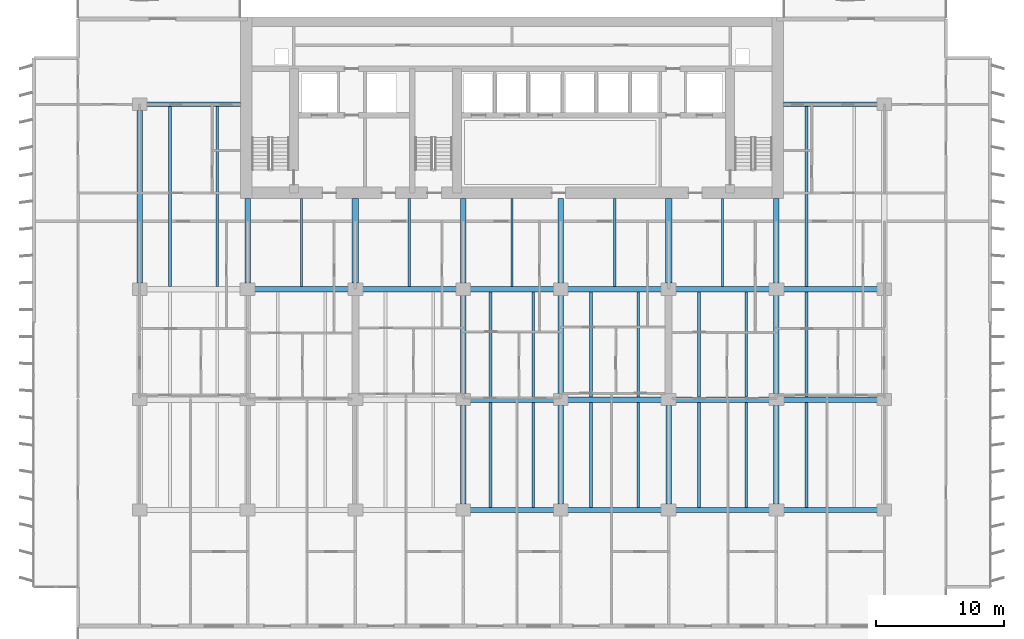
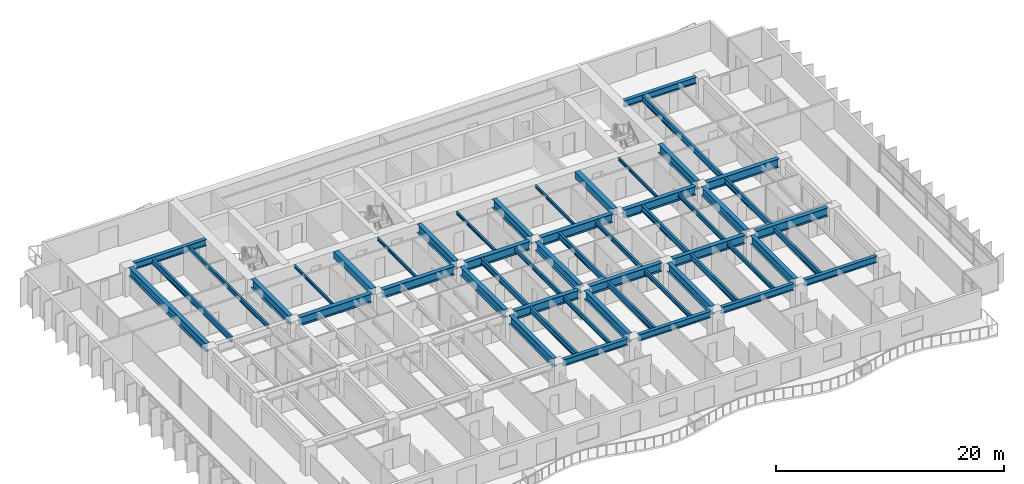
# One storey, part 3 of 18: 52 beams.
"""IFC4 building model written with IfcOpenShell, lengths in metres."""

import ifcopenshell
import ifcopenshell.guid

model = None  # the IFC model being written
_history = None  # IfcOwnerHistory: only IFC2X3 demands one
_inside = {}  # id of a spatial element -> (the spatial element, [elements in it])
_under = {}  # id of a project, library or spatial element -> (it, [spatial elements below it])
_declared = {}  # id of a project -> (the project, [libraries it declares])
_typed = {}  # id of a type object -> (the type object, [elements of that type])
_made_of = {}  # id of a material, layer set ... -> (it, [elements and type objects made of it])


def new_model(schema):
    """Start an empty IFC model of exactly this schema.

    Asked for "IFC4X3", IfcOpenShell would pick the latest addendum, in which some entities
    have other attributes; the version numbers below select the first issue.
    IFC2X3 requires an IfcOwnerHistory on every rooted entity: one is made here for all.
    """
    global model, _history
    if schema == "IFC4X3":
        model = ifcopenshell.file(schema_version=(4, 3, 0, 0))
    else:
        model = ifcopenshell.file(schema=schema)
    _inside.clear()
    _under.clear()
    _declared.clear()
    _typed.clear()
    _made_of.clear()
    _history = None
    if model.schema == "IFC2X3":
        org = make("IfcOrganization", Name="unknown")
        user = make(
            "IfcPersonAndOrganization",
            ThePerson=make("IfcPerson", FamilyName="unknown"),
            TheOrganization=org,
        )
        app = make(
            "IfcApplication",
            ApplicationDeveloper=org,
            Version="unknown",
            ApplicationFullName="unknown",
            ApplicationIdentifier="unknown",
        )
        _history = make(
            "IfcOwnerHistory",
            OwningUser=user,
            OwningApplication=app,
            ChangeAction="ADDED",
            CreationDate=0,
        )
    return model


def make(cls, **values):
    """One entity of the class cls with the attributes given. An attribute that is None is left unset."""
    return model.create_entity(
        cls, **{name: value for name, value in values.items() if value is not None}
    )


def rooted(cls, **values):
    """An entity with a GlobalId (a new one), such as an element, a storey or a relation."""
    return make(cls, GlobalId=ifcopenshell.guid.new(), OwnerHistory=_history, **values)


def si_unit(unit_type, name, prefix=None):
    """IfcSIUnit, for example si_unit("LENGTHUNIT", "METRE", prefix="MILLI")."""
    return make("IfcSIUnit", UnitType=unit_type, Prefix=prefix, Name=name)


def assignment(units):
    """IfcUnitAssignment: the units of a project."""
    return None if units is None else make("IfcUnitAssignment", Units=units)


def point(xyz):
    """IfcCartesianPoint."""
    return None if xyz is None else make("IfcCartesianPoint", Coordinates=xyz)


def direction(xyz):
    """IfcDirection."""
    return None if xyz is None else make("IfcDirection", DirectionRatios=xyz)


def frame(location, z_axis=None, x_axis=None):
    """IfcAxis2Placement3D, a coordinate frame: its origin and axes. An axis left out is left unset."""
    return make(
        "IfcAxis2Placement3D",
        Location=point(location),
        Axis=direction(z_axis),
        RefDirection=direction(x_axis),
    )


def frame_2d(location, x_axis=None):
    """IfcAxis2Placement2D, a coordinate frame in the plane: its origin and x axis."""
    return make(
        "IfcAxis2Placement2D", Location=point(location), RefDirection=direction(x_axis)
    )


def origin():
    """The frame at (0, 0, 0) with its axes left unset."""
    return frame((0.0, 0.0, 0.0))


def origin_2d():
    """The frame at (0, 0) in the plane with its x axis left unset."""
    return frame_2d((0.0, 0.0))


def place(relative_to, where):
    """IfcLocalPlacement: puts the frame where relative to a parent placement (None: the world)."""
    return make(
        "IfcLocalPlacement", PlacementRelTo=relative_to, RelativePlacement=where
    )


def context(
    kind, dimensions, precision=None, world=None, true_north=None, identifier=None
):
    """IfcGeometricRepresentationContext, for example the 3D "Model" context."""
    return make(
        "IfcGeometricRepresentationContext",
        ContextIdentifier=identifier,
        ContextType=kind,
        CoordinateSpaceDimension=dimensions,
        Precision=precision,
        WorldCoordinateSystem=world,
        TrueNorth=true_north,
    )


def subcontext(parent, identifier, kind, view, scale=None):
    """IfcGeometricRepresentationSubContext, for example "Body" below "Model"."""
    return make(
        "IfcGeometricRepresentationSubContext",
        ContextIdentifier=identifier,
        ContextType=kind,
        ParentContext=parent,
        TargetScale=scale,
        TargetView=view,
    )


def project(units=None, contexts=None):
    """IfcProject with its units and contexts."""
    return rooted(
        "IfcProject",
        Name="project",
        RepresentationContexts=contexts,
        UnitsInContext=assignment(units),
    )


def spatial(cls, under=None, at=None, **own):
    """A site, building, storey or space (cls), placed at a placement, below another one or the project."""
    s = rooted(cls, ObjectPlacement=at, **own)
    if under is not None:
        _under.setdefault(under.id(), (under, []))[1].append(s)
    return s


def profile(cls, at=None, kind="AREA", **sizes):
    """A parametric profile (cls). Its sizes go by their IFC names, for example OverallWidth=200.0."""
    return make(cls, ProfileType=kind, Position=at, **sizes)


def rectangle(**sizes):
    """IfcRectangleProfileDef."""
    return profile("IfcRectangleProfileDef", **sizes)


def i_section(**sizes):
    """IfcIShapeProfileDef."""
    return profile("IfcIShapeProfileDef", **sizes)


def extrude(swept, where, along, depth):
    """IfcExtrudedAreaSolid: the profile swept, set in the frame where, extruded along a direction by depth."""
    return make(
        "IfcExtrudedAreaSolid",
        SweptArea=swept,
        Position=where,
        ExtrudedDirection=direction(along),
        Depth=depth,
    )


def shape(context_of_items, identifier, shape_type, items):
    """IfcShapeRepresentation: the items that make up one representation, for example the "Body"."""
    return make(
        "IfcShapeRepresentation",
        ContextOfItems=context_of_items,
        RepresentationIdentifier=identifier,
        RepresentationType=shape_type,
        Items=items,
    )


def material(Name=None, Category=None):
    """IfcMaterial."""
    return make("IfcMaterial", Name=Name, Category=Category)


def material_profile(
    of_material, cross_section, Name=None, Category=None, Priority=None
):
    """IfcMaterialProfile: a cross section and its material."""
    return make(
        "IfcMaterialProfile",
        Name=Name,
        Material=of_material,
        Profile=cross_section,
        Priority=Priority,
        Category=Category,
    )


def profile_set(profiles, Name=None, composite=None):
    """IfcMaterialProfileSet."""
    return make(
        "IfcMaterialProfileSet",
        Name=Name,
        MaterialProfiles=profiles,
        CompositeProfile=composite,
    )


def made_of(thing, what):
    """Note that an element or type object is made of a material, layer set ...; save() writes the relation."""
    if what is not None:
        _made_of.setdefault(what.id(), (what, []))[1].append(thing)
    return thing


def type_object(cls, material=None, **own):
    """A type object (cls), such as IfcWallType, which elements share."""
    return made_of(rooted(cls, **own), material)


def element(
    cls,
    number,
    at=None,
    inside=None,
    cuts=None,
    type_object=None,
    material=None,
    context=None,
    identifier="Body",
    shape_type=None,
    held_by="IfcProductDefinitionShape",
    body=None,
    shapes=None,
    **own,
):
    """One element of the class cls, such as IfcWall. Its Tag is "e" and its number.

    at: its placement. inside: the storey or other place that contains it. cuts: it is an
    opening in that element (IfcRelVoidsElement). A single representation is given by context,
    identifier, shape_type and body (its items); several are given by shapes. held_by: the class
    of the entity that holds the representations. save() writes the other relations.
    """
    e = rooted(cls, Tag="e%d" % number, ObjectPlacement=at, **own)
    if body is not None:
        shapes = [shape(context, identifier, shape_type, body)]
    if shapes is not None:
        e.Representation = make(held_by, Representations=shapes)
    if inside is not None:
        _inside.setdefault(inside.id(), (inside, []))[1].append(e)
    if cuts is not None:
        rooted(
            "IfcRelVoidsElement", RelatingBuildingElement=cuts, RelatedOpeningElement=e
        )
    if type_object is not None:
        _typed.setdefault(type_object.id(), (type_object, []))[1].append(e)
    return made_of(e, material)


def aggregate(whole, parts):
    """IfcRelAggregates: a whole, such as a stair, and the parts it consists of."""
    return rooted("IfcRelAggregates", RelatingObject=whole, RelatedObjects=parts)


def save(model, path):
    """Write the relations noted so far, then the file.

    IfcRelAggregates (storeys below a building ...), IfcRelContainedInSpatialStructure (elements
    in a storey), IfcRelDefinesByType, IfcRelAssociatesMaterial and IfcRelDeclares: one each for
    every whole, place, type object, material and project.
    """
    for whole, parts in _under.values():
        aggregate(whole, parts)
    for where, things in _inside.values():
        rooted(
            "IfcRelContainedInSpatialStructure",
            RelatedElements=things,
            RelatingStructure=where,
        )
    for kind, things in _typed.values():
        rooted("IfcRelDefinesByType", RelatedObjects=things, RelatingType=kind)
    for what, things in _made_of.values():
        rooted("IfcRelAssociatesMaterial", RelatedObjects=things, RelatingMaterial=what)
    for by, libraries in _declared.values():
        rooted("IfcRelDeclares", RelatingContext=by, RelatedDefinitions=libraries)
    model.write(path)


model = new_model("IFC4")

# Units and contexts
model_context = context("Model", 3, precision=1e-05, world=origin(), true_north=direction((0.0, 1.0)))
body_context = subcontext(model_context, "Body", "Model", "MODEL_VIEW")
ifc_project = project(units=[si_unit("LENGTHUNIT", "METRE"), si_unit("AREAUNIT", "SQUARE_METRE"), si_unit("VOLUMEUNIT", "CUBIC_METRE"), si_unit("PLANEANGLEUNIT", "RADIAN"), si_unit("MASSUNIT", "GRAM", prefix="KILO")], contexts=[model_context])

# Site, building, storey
site_placement = place(None, origin())
site = spatial("IfcSite", under=ifc_project, at=site_placement, CompositionType="ELEMENT")
building_placement = place(site_placement, origin())
building = spatial("IfcBuilding", under=site, at=building_placement, Name="Caelmar Bay Residences", CompositionType="ELEMENT")
storey_placement = place(building_placement, frame((0.0, 0.0, 69.60009765625)))
storey = spatial("IfcBuildingStorey", under=building, at=storey_placement, Name="L18", CompositionType="ELEMENT", Elevation=69.60009765625)

# Beams
ifc_material_1 = material(Name="Steel ASTM A992 Grade 50", Category="steel")
ifc_material_profile_1 = material_profile(ifc_material_1, i_section(OverallWidth=0.422119140625, OverallDepth=0.925048828125, WebThickness=0.021240234375, FlangeThickness=0.03662109375, FilletRadius=0.020263671875, at=origin_2d()), Name="W36X262")
ifc_profile_set_1 = profile_set([ifc_material_profile_1], Name="Steel ASTM A992 Grade 50")
beam_type_1 = type_object("IfcBeamType", Name="BM-GRD-W36X262", PredefinedType="BEAM", material=ifc_profile_set_1)
beam_1_placement = place(storey_placement, frame((35.639892578125, 20.800048828125, 2.58740234375), z_axis=(1.0, 0.0, 0.0), x_axis=(0.0, 1.0, 0.0)))
element("IfcBeam", 1, at=beam_1_placement, inside=storey, type_object=beam_type_1, Name="L18 East-West Girder Y=20.80 (35.1-42.7)", PredefinedType="BEAM", context=body_context, shape_type="SweptSolid", body=[
    extrude(i_section(OverallWidth=0.422119140625, OverallDepth=0.925048828125, WebThickness=0.021240234375, FlangeThickness=0.03662109375, FilletRadius=0.020263671875, at=origin_2d()), origin(), (0.0, 0.0, 1.0), 6.52001953125),
])
for number, where, z_axis, x_axis, name in (
    (2, (43.239990234375, 20.800048828125, 2.58740234375), (1.0, 0.0, 0.0), (0.0, 1.0, 0.0), "L18 East-West Girder Y=20.80 (42.7-51.1)"),
    (3, (51.639892578125, 20.800048828125, 2.58740234375), (1.0, 0.0, 0.0), (0.0, 1.0, 0.0), "L18 East-West Girder Y=20.80 (51.1-59.5)"),
    (4, (60.0400390625, 20.800048828125, 2.58740234375), (1.0, 0.0, 0.0), (0.0, 1.0, 0.0), "L18 East-West Girder Y=20.80 (59.5-67.9)"),
):
    element("IfcBeam", number, at=place(storey_placement, frame(where, z_axis=z_axis, x_axis=x_axis)), inside=storey, type_object=beam_type_1, Name=name, PredefinedType="BEAM", context=body_context, shape_type="SweptSolid", body=[
        extrude(i_section(OverallWidth=0.422119140625, OverallDepth=0.925048828125, WebThickness=0.021240234375, FlangeThickness=0.03662109375, FilletRadius=0.020263671875, at=origin_2d()), origin(), (0.0, 0.0, 1.0), 7.320068359375),
    ])
beam_2_placement = place(storey_placement, frame((18.840087890625, 29.39990234375, 2.58740234375), z_axis=(1.0, 0.0, 0.0), x_axis=(0.0, 1.0, 0.0)))
element("IfcBeam", 5, at=beam_2_placement, inside=storey, type_object=beam_type_1, Name="L18 East-West Girder Y=29.40 (18.3-26.7)", PredefinedType="BEAM", context=body_context, shape_type="SweptSolid", body=[
    extrude(i_section(OverallWidth=0.422119140625, OverallDepth=0.925048828125, WebThickness=0.021240234375, FlangeThickness=0.03662109375, FilletRadius=0.020263671875, at=origin_2d()), origin(), (0.0, 0.0, 1.0), 7.31982421875),
])
beam_3_placement = place(storey_placement, frame((27.239990234375, 29.39990234375, 2.58740234375), z_axis=(1.0, 0.0, 0.0), x_axis=(0.0, 1.0, 0.0)))
element("IfcBeam", 6, at=beam_3_placement, inside=storey, type_object=beam_type_1, Name="L18 East-West Girder Y=29.40 (26.7-35.1)", PredefinedType="BEAM", context=body_context, shape_type="SweptSolid", body=[
    extrude(i_section(OverallWidth=0.422119140625, OverallDepth=0.925048828125, WebThickness=0.021240234375, FlangeThickness=0.03662109375, FilletRadius=0.020263671875, at=origin_2d()), origin(), (0.0, 0.0, 1.0), 7.320068359375),
])
beam_4_placement = place(storey_placement, frame((35.639892578125, 29.39990234375, 2.58740234375), z_axis=(1.0, 0.0, 0.0), x_axis=(0.0, 1.0, 0.0)))
element("IfcBeam", 7, at=beam_4_placement, inside=storey, type_object=beam_type_1, Name="L18 East-West Girder Y=29.40 (35.1-42.7)", PredefinedType="BEAM", context=body_context, shape_type="SweptSolid", body=[
    extrude(i_section(OverallWidth=0.422119140625, OverallDepth=0.925048828125, WebThickness=0.021240234375, FlangeThickness=0.03662109375, FilletRadius=0.020263671875, at=origin_2d()), origin(), (0.0, 0.0, 1.0), 6.52001953125),
])
for number, where, z_axis, x_axis, name in (
    (8, (43.239990234375, 29.39990234375, 2.58740234375), (1.0, 0.0, 0.0), (0.0, 1.0, 0.0), "L18 East-West Girder Y=29.40 (42.7-51.1)"),
    (9, (51.639892578125, 29.39990234375, 2.58740234375), (1.0, 0.0, 0.0), (0.0, 1.0, 0.0), "L18 East-West Girder Y=29.40 (51.1-59.5)"),
    (10, (60.0400390625, 29.39990234375, 2.58740234375), (1.0, 0.0, 0.0), (0.0, 1.0, 0.0), "L18 East-West Girder Y=29.40 (59.5-67.9)"),
):
    element("IfcBeam", number, at=place(storey_placement, frame(where, z_axis=z_axis, x_axis=x_axis)), inside=storey, type_object=beam_type_1, Name=name, PredefinedType="BEAM", context=body_context, shape_type="SweptSolid", body=[
        extrude(i_section(OverallWidth=0.422119140625, OverallDepth=0.925048828125, WebThickness=0.021240234375, FlangeThickness=0.03662109375, FilletRadius=0.020263671875, at=origin_2d()), origin(), (0.0, 0.0, 1.0), 7.320068359375),
    ])
beam_5_placement = place(storey_placement, frame((9.89990234375, 29.864990234375, 2.58740234375), z_axis=(0.0, 1.0, 0.0), x_axis=(-1.0, 0.0, 0.0)))
element("IfcBeam", 11, at=beam_5_placement, inside=storey, type_object=beam_type_1, Name="L18 North-South Girder X=9.90 (29.4-43.8)", PredefinedType="BEAM", context=body_context, shape_type="SweptSolid", body=[
    extrude(i_section(OverallWidth=0.422119140625, OverallDepth=0.925048828125, WebThickness=0.021240234375, FlangeThickness=0.03662109375, FilletRadius=0.020263671875, at=origin_2d()), origin(), (0.0, 0.0, 1.0), 13.469970703125),
])
for number, where, z_axis, x_axis, name in (
    (12, (18.300048828125, 29.864990234375, 2.58740234375), (0.0, 1.0, 0.0), (-1.0, 0.0, 0.0), "L18 Core Tie Girder X=18.30"),
    (13, (35.10009765625, 29.864990234375, 2.58740234375), (0.0, 1.0, 0.0), (-1.0, 0.0, 0.0), "L18 Core Tie Girder X=35.10"),
):
    element("IfcBeam", number, at=place(storey_placement, frame(where, z_axis=z_axis, x_axis=x_axis)), inside=storey, type_object=beam_type_1, Name=name, PredefinedType="BEAM", context=body_context, shape_type="SweptSolid", body=[
        extrude(i_section(OverallWidth=0.422119140625, OverallDepth=0.925048828125, WebThickness=0.021240234375, FlangeThickness=0.03662109375, FilletRadius=0.020263671875, at=origin_2d()), origin(), (0.0, 0.0, 1.0), 6.5849609375),
    ])
beam_6_placement = place(storey_placement, frame((35.10009765625, 12.6650390625, 2.58740234375), z_axis=(0.0, 1.0, 0.0), x_axis=(-1.0, 0.0, 0.0)))
element("IfcBeam", 14, at=beam_6_placement, inside=storey, type_object=beam_type_1, Name="L18 North-South Girder X=35.10 (12.2-20.8)", PredefinedType="BEAM", context=body_context, shape_type="SweptSolid", body=[
    extrude(i_section(OverallWidth=0.422119140625, OverallDepth=0.925048828125, WebThickness=0.021240234375, FlangeThickness=0.03662109375, FilletRadius=0.020263671875, at=origin_2d()), origin(), (0.0, 0.0, 1.0), 7.669921875),
])
beam_7_placement = place(storey_placement, frame((35.10009765625, 21.264892578125, 2.58740234375), z_axis=(0.0, 1.0, 0.0), x_axis=(-1.0, 0.0, 0.0)))
element("IfcBeam", 15, at=beam_7_placement, inside=storey, type_object=beam_type_1, Name="L18 North-South Girder X=35.10 (20.8-29.4)", PredefinedType="BEAM", context=body_context, shape_type="SweptSolid", body=[
    extrude(i_section(OverallWidth=0.422119140625, OverallDepth=0.925048828125, WebThickness=0.021240234375, FlangeThickness=0.03662109375, FilletRadius=0.020263671875, at=origin_2d()), origin(), (0.0, 0.0, 1.0), 7.670166015625),
])
beam_8_placement = place(storey_placement, frame((42.699951171875, 29.864990234375, 2.58740234375), z_axis=(0.0, 1.0, 0.0), x_axis=(-1.0, 0.0, 0.0)))
element("IfcBeam", 16, at=beam_8_placement, inside=storey, type_object=beam_type_1, Name="L18 Core Tie Girder X=42.70", PredefinedType="BEAM", context=body_context, shape_type="SweptSolid", body=[
    extrude(i_section(OverallWidth=0.422119140625, OverallDepth=0.925048828125, WebThickness=0.021240234375, FlangeThickness=0.03662109375, FilletRadius=0.020263671875, at=origin_2d()), origin(), (0.0, 0.0, 1.0), 6.5849609375),
])
beam_9_placement = place(storey_placement, frame((42.699951171875, 12.6650390625, 2.58740234375), z_axis=(0.0, 1.0, 0.0), x_axis=(-1.0, 0.0, 0.0)))
element("IfcBeam", 17, at=beam_9_placement, inside=storey, type_object=beam_type_1, Name="L18 North-South Girder X=42.70 (12.2-20.8)", PredefinedType="BEAM", context=body_context, shape_type="SweptSolid", body=[
    extrude(i_section(OverallWidth=0.422119140625, OverallDepth=0.925048828125, WebThickness=0.021240234375, FlangeThickness=0.03662109375, FilletRadius=0.020263671875, at=origin_2d()), origin(), (0.0, 0.0, 1.0), 7.669921875),
])
beam_10_placement = place(storey_placement, frame((42.699951171875, 21.264892578125, 2.58740234375), z_axis=(0.0, 1.0, 0.0), x_axis=(-1.0, 0.0, 0.0)))
element("IfcBeam", 18, at=beam_10_placement, inside=storey, type_object=beam_type_1, Name="L18 North-South Girder X=42.70 (20.8-29.4)", PredefinedType="BEAM", context=body_context, shape_type="SweptSolid", body=[
    extrude(i_section(OverallWidth=0.422119140625, OverallDepth=0.925048828125, WebThickness=0.021240234375, FlangeThickness=0.03662109375, FilletRadius=0.020263671875, at=origin_2d()), origin(), (0.0, 0.0, 1.0), 7.670166015625),
])
beam_11_placement = place(storey_placement, frame((51.10009765625, 12.6650390625, 2.58740234375), z_axis=(0.0, 1.0, 0.0), x_axis=(-1.0, 0.0, 0.0)))
element("IfcBeam", 19, at=beam_11_placement, inside=storey, type_object=beam_type_1, Name="L18 North-South Girder X=51.10 (12.2-20.8)", PredefinedType="BEAM", context=body_context, shape_type="SweptSolid", body=[
    extrude(i_section(OverallWidth=0.422119140625, OverallDepth=0.925048828125, WebThickness=0.021240234375, FlangeThickness=0.03662109375, FilletRadius=0.020263671875, at=origin_2d()), origin(), (0.0, 0.0, 1.0), 7.669921875),
])
beam_12_placement = place(storey_placement, frame((59.5, 29.864990234375, 2.58740234375), z_axis=(0.0, 1.0, 0.0), x_axis=(-1.0, 0.0, 0.0)))
element("IfcBeam", 20, at=beam_12_placement, inside=storey, type_object=beam_type_1, Name="L18 Core Tie Girder X=59.50", PredefinedType="BEAM", context=body_context, shape_type="SweptSolid", body=[
    extrude(i_section(OverallWidth=0.422119140625, OverallDepth=0.925048828125, WebThickness=0.021240234375, FlangeThickness=0.03662109375, FilletRadius=0.020263671875, at=origin_2d()), origin(), (0.0, 0.0, 1.0), 6.5849609375),
])
beam_13_placement = place(storey_placement, frame((59.5, 12.6650390625, 2.58740234375), z_axis=(0.0, 1.0, 0.0), x_axis=(-1.0, 0.0, 0.0)))
element("IfcBeam", 21, at=beam_13_placement, inside=storey, type_object=beam_type_1, Name="L18 North-South Girder X=59.50 (12.2-20.8)", PredefinedType="BEAM", context=body_context, shape_type="SweptSolid", body=[
    extrude(i_section(OverallWidth=0.422119140625, OverallDepth=0.925048828125, WebThickness=0.021240234375, FlangeThickness=0.03662109375, FilletRadius=0.020263671875, at=origin_2d()), origin(), (0.0, 0.0, 1.0), 7.669921875),
])
beam_14_placement = place(storey_placement, frame((59.5, 21.264892578125, 2.58740234375), z_axis=(0.0, 1.0, 0.0), x_axis=(-1.0, 0.0, 0.0)))
element("IfcBeam", 22, at=beam_14_placement, inside=storey, type_object=beam_type_1, Name="L18 North-South Girder X=59.50 (20.8-29.4)", PredefinedType="BEAM", context=body_context, shape_type="SweptSolid", body=[
    extrude(i_section(OverallWidth=0.422119140625, OverallDepth=0.925048828125, WebThickness=0.021240234375, FlangeThickness=0.03662109375, FilletRadius=0.020263671875, at=origin_2d()), origin(), (0.0, 0.0, 1.0), 7.670166015625),
])
ifc_material_profile_2 = material_profile(ifc_material_1, i_section(OverallWidth=0.1650390625, OverallDepth=0.31005859375, WebThickness=0.005859375, FlangeThickness=0.009765625, FilletRadius=0.007568359375, at=origin_2d()), Name="W12X26")
ifc_profile_set_2 = profile_set([ifc_material_profile_2], Name="Steel ASTM A992 Grade 50")
beam_type_2 = type_object("IfcBeamType", Name="BM-JST-W12X26", PredefinedType="JOIST", material=ifc_profile_set_2)
for number, where, z_axis, x_axis, name in (
    (23, (22.5, 29.611083984375, 2.89501953125), (0.0, 1.0, 0.0), (-1.0, 0.0, 0.0), "L18 Core-Band Composite Joist 29"),
    (24, (30.89990234375, 29.611083984375, 2.89501953125), (0.0, 1.0, 0.0), (-1.0, 0.0, 0.0), "L18 Core-Band Composite Joist 30"),
    (25, (38.89990234375, 29.611083984375, 2.89501953125), (0.0, 1.0, 0.0), (-1.0, 0.0, 0.0), "L18 Core-Band Composite Joist 31"),
    (26, (46.89990234375, 29.611083984375, 2.89501953125), (0.0, 1.0, 0.0), (-1.0, 0.0, 0.0), "L18 Core-Band Composite Joist 32"),
    (27, (55.300048828125, 29.611083984375, 2.89501953125), (0.0, 1.0, 0.0), (-1.0, 0.0, 0.0), "L18 Core-Band Composite Joist 33"),
):
    element("IfcBeam", number, at=place(storey_placement, frame(where, z_axis=z_axis, x_axis=x_axis)), inside=storey, type_object=beam_type_2, Name=name, PredefinedType="JOIST", context=body_context, shape_type="SweptSolid", body=[
        extrude(i_section(OverallWidth=0.1650390625, OverallDepth=0.31005859375, WebThickness=0.005859375, FlangeThickness=0.009765625, FilletRadius=0.007568359375, at=origin_2d()), origin(), (0.0, 0.0, 1.0), 6.8388671875),
    ])
ifc_material_profile_3 = material_profile(ifc_material_1, i_section(OverallWidth=0.19091796875, OverallDepth=0.45703125, WebThickness=0.009033203125, FlangeThickness=0.014404296875, FilletRadius=0.01025390625, at=origin_2d()), Name="W18X50")
ifc_profile_set_3 = profile_set([ifc_material_profile_3], Name="Steel ASTM A992 Grade 50")
beam_type_3 = type_object("IfcBeamType", Name="BM-JST-W18X50", PredefinedType="JOIST", material=ifc_profile_set_3)
for number, where, z_axis, x_axis, name in (
    (28, (40.572021484375, 12.3779296875, 2.8212890625), (0.0, 1.0, 0.0), (-1.0, 0.0, 0.0), "L18 Composite Floor Joist 8"),
    (29, (48.748046875, 12.3779296875, 2.8212890625), (0.0, 1.0, 0.0), (-1.0, 0.0, 0.0), "L18 Composite Floor Joist 10"),
    (30, (57.14794921875, 12.3779296875, 2.8212890625), (0.0, 1.0, 0.0), (-1.0, 0.0, 0.0), "L18 Composite Floor Joist 12"),
):
    element("IfcBeam", number, at=place(storey_placement, frame(where, z_axis=z_axis, x_axis=x_axis)), inside=storey, type_object=beam_type_3, Name=name, PredefinedType="JOIST", context=body_context, shape_type="SweptSolid", body=[
        extrude(i_section(OverallWidth=0.19091796875, OverallDepth=0.45703125, WebThickness=0.009033203125, FlangeThickness=0.014404296875, FilletRadius=0.01025390625, at=origin_2d()), origin(), (0.0, 0.0, 1.0), 8.211181640625),
    ])
for number, where, z_axis, x_axis, name in (
    (31, (40.572021484375, 21.010986328125, 2.8212890625), (0.0, 1.0, 0.0), (-1.0, 0.0, 0.0), "L18 Composite Floor Joist 22"),
    (32, (48.748046875, 21.010986328125, 2.8212890625), (0.0, 1.0, 0.0), (-1.0, 0.0, 0.0), "L18 Composite Floor Joist 24"),
    (33, (57.14794921875, 21.010986328125, 2.8212890625), (0.0, 1.0, 0.0), (-1.0, 0.0, 0.0), "L18 Composite Floor Joist 26"),
):
    element("IfcBeam", number, at=place(storey_placement, frame(where, z_axis=z_axis, x_axis=x_axis)), inside=storey, type_object=beam_type_3, Name=name, PredefinedType="JOIST", context=body_context, shape_type="SweptSolid", body=[
        extrude(i_section(OverallWidth=0.19091796875, OverallDepth=0.45703125, WebThickness=0.009033203125, FlangeThickness=0.014404296875, FilletRadius=0.01025390625, at=origin_2d()), origin(), (0.0, 0.0, 1.0), 8.177978515625),
    ])
beam_15_placement = place(storey_placement, frame((15.947998046875, 29.611083984375, 2.8212890625), z_axis=(0.0, 1.0, 0.0), x_axis=(-1.0, 0.0, 0.0)))
element("IfcBeam", 34, at=beam_15_placement, inside=storey, type_object=beam_type_3, Name="L18 Composite Floor Joist 35", PredefinedType="JOIST", context=body_context, shape_type="SweptSolid", body=[
    extrude(i_section(OverallWidth=0.19091796875, OverallDepth=0.45703125, WebThickness=0.009033203125, FlangeThickness=0.014404296875, FilletRadius=0.01025390625, at=origin_2d()), origin(), (0.0, 0.0, 1.0), 14.010986328125),
])
ifc_material_profile_4 = material_profile(ifc_material_1, i_section(OverallWidth=0.22900390625, OverallDepth=0.612060546875, WebThickness=0.011962890625, FlangeThickness=0.01953125, FilletRadius=0.0126953125, at=origin_2d()), Name="W24X84")
ifc_profile_set_4 = profile_set([ifc_material_profile_4], Name="Steel ASTM A992 Grade 50")
beam_type_4 = type_object("IfcBeamType", Name="BM-JST-W24X84", PredefinedType="JOIST", material=ifc_profile_set_4)
for number, where, z_axis, x_axis, name in (
    (35, (37.22802734375, 12.3779296875, 2.743896484375), (0.0, 1.0, 0.0), (-1.0, 0.0, 0.0), "L18 Composite Floor Joist 7"),
    (36, (45.052001953125, 12.3779296875, 2.743896484375), (0.0, 1.0, 0.0), (-1.0, 0.0, 0.0), "L18 Composite Floor Joist 9"),
    (37, (53.451904296875, 12.3779296875, 2.743896484375), (0.0, 1.0, 0.0), (-1.0, 0.0, 0.0), "L18 Composite Floor Joist 11"),
    (38, (61.85205078125, 12.3779296875, 2.743896484375), (0.0, 1.0, 0.0), (-1.0, 0.0, 0.0), "L18 Composite Floor Joist 13"),
):
    element("IfcBeam", number, at=place(storey_placement, frame(where, z_axis=z_axis, x_axis=x_axis)), inside=storey, type_object=beam_type_4, Name=name, PredefinedType="JOIST", context=body_context, shape_type="SweptSolid", body=[
        extrude(i_section(OverallWidth=0.22900390625, OverallDepth=0.612060546875, WebThickness=0.011962890625, FlangeThickness=0.01953125, FilletRadius=0.0126953125, at=origin_2d()), origin(), (0.0, 0.0, 1.0), 8.211181640625),
    ])
for number, where, z_axis, x_axis, name in (
    (39, (37.22802734375, 21.010986328125, 2.743896484375), (0.0, 1.0, 0.0), (-1.0, 0.0, 0.0), "L18 Composite Floor Joist 21"),
    (40, (45.052001953125, 21.010986328125, 2.743896484375), (0.0, 1.0, 0.0), (-1.0, 0.0, 0.0), "L18 Composite Floor Joist 23"),
    (41, (53.451904296875, 21.010986328125, 2.743896484375), (0.0, 1.0, 0.0), (-1.0, 0.0, 0.0), "L18 Composite Floor Joist 25"),
    (42, (61.85205078125, 21.010986328125, 2.743896484375), (0.0, 1.0, 0.0), (-1.0, 0.0, 0.0), "L18 Composite Floor Joist 27"),
):
    element("IfcBeam", number, at=place(storey_placement, frame(where, z_axis=z_axis, x_axis=x_axis)), inside=storey, type_object=beam_type_4, Name=name, PredefinedType="JOIST", context=body_context, shape_type="SweptSolid", body=[
        extrude(i_section(OverallWidth=0.22900390625, OverallDepth=0.612060546875, WebThickness=0.011962890625, FlangeThickness=0.01953125, FilletRadius=0.0126953125, at=origin_2d()), origin(), (0.0, 0.0, 1.0), 8.177978515625),
    ])
for number, where, z_axis, x_axis, name in (
    (43, (12.251953125, 29.611083984375, 2.743896484375), (0.0, 1.0, 0.0), (-1.0, 0.0, 0.0), "L18 Composite Floor Joist 34"),
    (44, (61.85205078125, 29.611083984375, 2.743896484375), (0.0, 1.0, 0.0), (-1.0, 0.0, 0.0), "L18 Composite Floor Joist 36"),
):
    element("IfcBeam", number, at=place(storey_placement, frame(where, z_axis=z_axis, x_axis=x_axis)), inside=storey, type_object=beam_type_4, Name=name, PredefinedType="JOIST", context=body_context, shape_type="SweptSolid", body=[
        extrude(i_section(OverallWidth=0.22900390625, OverallDepth=0.612060546875, WebThickness=0.011962890625, FlangeThickness=0.01953125, FilletRadius=0.0126953125, at=origin_2d()), origin(), (0.0, 0.0, 1.0), 14.010986328125),
    ])
ifc_material_2 = material(Name="Concrete f'c 55 MPa (8,000 psi)", Category="concrete")
ifc_material_profile_5 = material_profile(ifc_material_2, rectangle(XDim=0.5, YDim=0.699951171875, at=origin_2d()), Name="RC-BM-500X700")
ifc_profile_set_5 = profile_set([ifc_material_profile_5], Name="Concrete f'c 55 MPa (8,000 psi)")
beam_type_5 = type_object("IfcBeamType", Name="BM-RC-500X700", PredefinedType="LINTEL", material=ifc_profile_set_5)
for number, where, z_axis, x_axis, name in (
    (45, (26.699951171875, 29.864990234375, 2.699951171875), (0.0, 1.0, 0.0), (-1.0, 0.0, 0.0), "L18 Shear-Wall Corridor Coupling Lintel W5"),
    (46, (51.10009765625, 29.864990234375, 2.699951171875), (0.0, 1.0, 0.0), (-1.0, 0.0, 0.0), "L18 Shear-Wall Corridor Coupling Lintel E8"),
):
    element("IfcBeam", number, at=place(storey_placement, frame(where, z_axis=z_axis, x_axis=x_axis)), inside=storey, type_object=beam_type_5, Name=name, PredefinedType="LINTEL", context=body_context, shape_type="SweptSolid", body=[
        extrude(rectangle(XDim=0.5, YDim=0.699951171875, at=origin_2d()), origin(), (0.0, 0.0, 1.0), 6.5849609375),
    ])
ifc_material_profile_6 = material_profile(ifc_material_1, i_section(OverallWidth=0.35595703125, OverallDepth=0.696044921875, WebThickness=0.015380859375, FlangeThickness=0.02490234375, FilletRadius=0.01513671875, at=origin_2d()), Name="W27X146")
ifc_profile_set_6 = profile_set([ifc_material_profile_6], Name="Steel ASTM A992 Grade 50")
beam_type_6 = type_object("IfcBeamType", Name="BM-SPN-W27X146", PredefinedType="SPANDREL", material=ifc_profile_set_6)
beam_16_placement = place(storey_placement, frame((35.639892578125, 12.199951171875, 2.701904296875), z_axis=(1.0, 0.0, 0.0), x_axis=(0.0, 1.0, 0.0)))
element("IfcBeam", 47, at=beam_16_placement, inside=storey, type_object=beam_type_6, Name="L18 East-West Girder Y=12.20 (35.1-42.7)", PredefinedType="SPANDREL", context=body_context, shape_type="SweptSolid", body=[
    extrude(i_section(OverallWidth=0.35595703125, OverallDepth=0.696044921875, WebThickness=0.015380859375, FlangeThickness=0.02490234375, FilletRadius=0.01513671875, at=origin_2d()), origin(), (0.0, 0.0, 1.0), 6.52001953125),
])
for number, where, z_axis, x_axis, name in (
    (48, (43.239990234375, 12.199951171875, 2.701904296875), (1.0, 0.0, 0.0), (0.0, 1.0, 0.0), "L18 East-West Girder Y=12.20 (42.7-51.1)"),
    (49, (51.639892578125, 12.199951171875, 2.701904296875), (1.0, 0.0, 0.0), (0.0, 1.0, 0.0), "L18 East-West Girder Y=12.20 (51.1-59.5)"),
    (50, (60.0400390625, 12.199951171875, 2.701904296875), (1.0, 0.0, 0.0), (0.0, 1.0, 0.0), "L18 East-West Girder Y=12.20 (59.5-67.9)"),
):
    element("IfcBeam", number, at=place(storey_placement, frame(where, z_axis=z_axis, x_axis=x_axis)), inside=storey, type_object=beam_type_6, Name=name, PredefinedType="SPANDREL", context=body_context, shape_type="SweptSolid", body=[
        extrude(i_section(OverallWidth=0.35595703125, OverallDepth=0.696044921875, WebThickness=0.015380859375, FlangeThickness=0.02490234375, FilletRadius=0.01513671875, at=origin_2d()), origin(), (0.0, 0.0, 1.0), 7.320068359375),
    ])
for number, where, z_axis, x_axis, name in (
    (51, (10.43994140625, 43.800048828125, 2.701904296875), (1.0, 0.0, 0.0), (0.0, 1.0, 0.0), "L18 North-West Wing Core Tie Girder"),
    (52, (60.050048828125, 43.800048828125, 2.701904296875), (1.0, 0.0, 0.0), (0.0, 1.0, 0.0), "L18 North-East Wing Core Tie Girder"),
):
    element("IfcBeam", number, at=place(storey_placement, frame(where, z_axis=z_axis, x_axis=x_axis)), inside=storey, type_object=beam_type_6, Name=name, PredefinedType="SPANDREL", context=body_context, shape_type="SweptSolid", body=[
        extrude(i_section(OverallWidth=0.35595703125, OverallDepth=0.696044921875, WebThickness=0.015380859375, FlangeThickness=0.02490234375, FilletRadius=0.01513671875, at=origin_2d()), origin(), (0.0, 0.0, 1.0), 7.31005859375),
    ])

save(model, "model.ifc")
